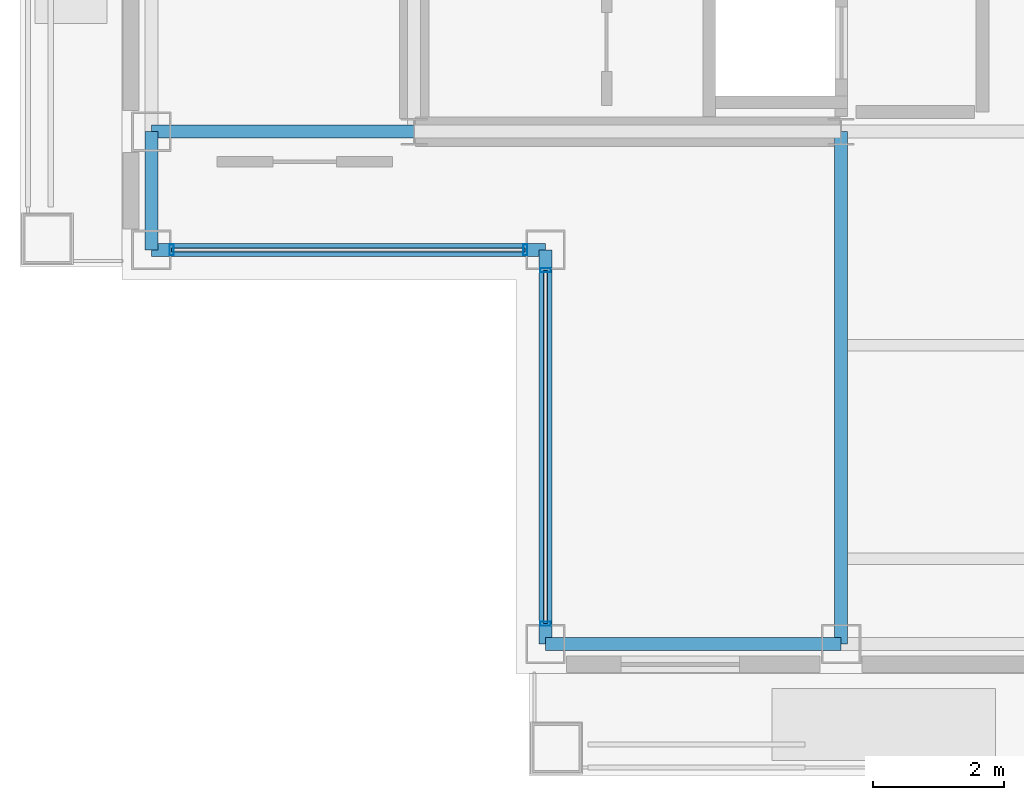
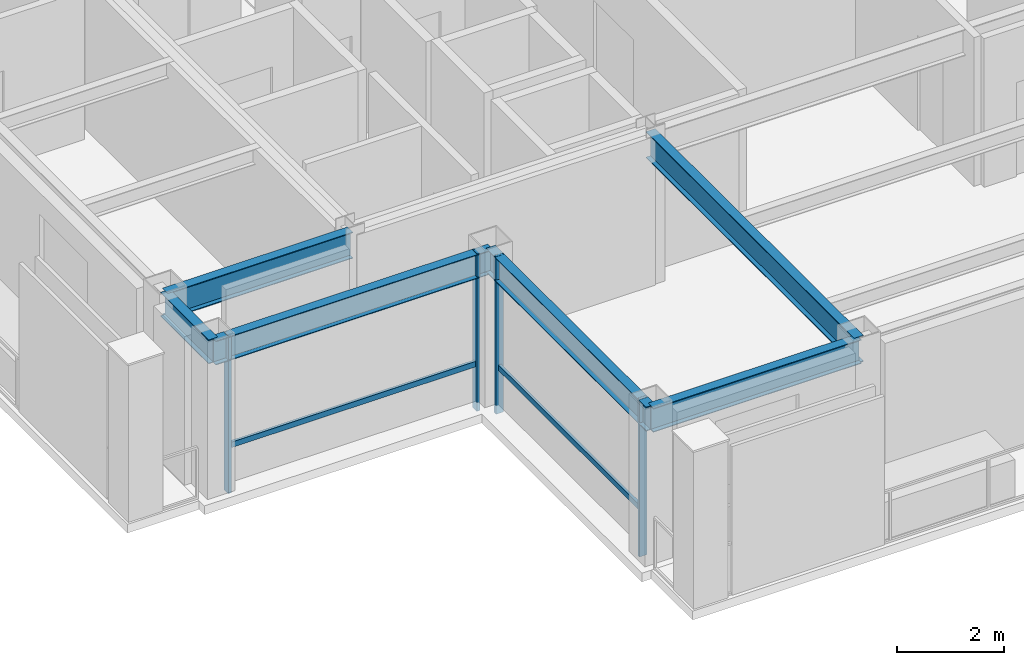
# One storey, part 3 of 24: 6 beams, 6 members, 2 elements without a shape of their own.
"""IFC4 building model written with IfcOpenShell, lengths in metres."""

from ifc_helpers import new_model, si_unit, direction, frame, origin, origin_2d, place, context, subcontext, project, spatial, hollow_rectangle, i_section, extrude, material, layer, layer_set, material_profile, profile_set, type_object, element, aggregate, save


model = new_model("IFC4")

# Units and contexts
model_context = context("Model", 3, precision=1e-05, world=origin(), true_north=direction((0.0, 1.0)))
body_context = subcontext(model_context, "Body", "Model", "MODEL_VIEW")
ifc_project = project(units=[si_unit("LENGTHUNIT", "METRE"), si_unit("AREAUNIT", "SQUARE_METRE"), si_unit("VOLUMEUNIT", "CUBIC_METRE"), si_unit("PLANEANGLEUNIT", "RADIAN"), si_unit("MASSUNIT", "GRAM", prefix="KILO")], contexts=[model_context])

# Site, building, storey
site_placement = place(None, origin())
site = spatial("IfcSite", under=ifc_project, at=site_placement, CompositionType="ELEMENT")
building_placement = place(site_placement, origin())
building = spatial("IfcBuilding", under=site, at=building_placement, Name="Brelmoor Portico Tower", CompositionType="ELEMENT")
storey_placement = place(building_placement, frame((0.0, 0.0, 254.39990234375)))
storey = spatial("IfcBuildingStorey", under=building, at=storey_placement, Name="L67", CompositionType="ELEMENT", Elevation=254.39990234375)

# Beams
ifc_material_1 = material(Name="Steel Q355B", Category="steel")
ifc_material_profile_1 = material_profile(ifc_material_1, i_section(OverallWidth=0.199951171875, OverallDepth=0.60009765625, WebThickness=0.010986328125, FlangeThickness=0.01708984375, at=origin_2d()), Name="HN 600x200x11x17")
ifc_profile_set_1 = profile_set([ifc_material_profile_1], Name="Steel Q355B")
beam_type_1 = type_object("IfcBeamType", Name="BM-PG-600", PredefinedType="BEAM", material=ifc_profile_set_1)
beam_1_placement = place(storey_placement, frame((-8.050048828125, -17.550048828125, 3.10009765625), z_axis=(0.0, 1.0, 0.0), x_axis=(-1.0, 0.0, 0.0)))
element("IfcBeam", 1, at=beam_1_placement, inside=storey, type_object=beam_type_1, Name="L67 Primary Floor Girder PG-03", PredefinedType="BEAM", context=body_context, shape_type="SweptSolid", body=[
    extrude(i_section(OverallWidth=0.199951171875, OverallDepth=0.60009765625, WebThickness=0.010986328125, FlangeThickness=0.01708984375, at=origin_2d()), origin(), (0.0, 0.0, 1.0), 7.800048828125),
])
beam_2_placement = place(storey_placement, frame((-18.550048828125, -9.75, 3.10009765625), z_axis=(1.0, 0.0, 0.0), x_axis=(0.0, 1.0, 0.0)))
element("IfcBeam", 2, at=beam_2_placement, inside=storey, type_object=beam_type_1, Name="L67 Primary Floor Girder PG-11", PredefinedType="BEAM", context=body_context, shape_type="SweptSolid", body=[
    extrude(i_section(OverallWidth=0.199951171875, OverallDepth=0.60009765625, WebThickness=0.010986328125, FlangeThickness=0.01708984375, at=origin_2d()), origin(), (0.0, 0.0, 1.0), 4.0),
])
ifc_material_profile_2 = material_profile(ifc_material_1, i_section(OverallWidth=0.199951171875, OverallDepth=0.550048828125, WebThickness=0.010009765625, FlangeThickness=0.01611328125, at=origin_2d()), Name="HN 550x200x10x16")
ifc_profile_set_2 = profile_set([ifc_material_profile_2], Name="Steel Q355B")
beam_type_2 = type_object("IfcBeamType", Name="BM-SP-550", PredefinedType="SPANDREL", material=ifc_profile_set_2)
beam_3_placement = place(storey_placement, frame((-12.550048828125, -17.550048828125, 3.125), z_axis=(1.0, 0.0, 0.0), x_axis=(0.0, 1.0, 0.0)))
element("IfcBeam", 3, at=beam_3_placement, inside=storey, type_object=beam_type_2, Name="L67 Perimeter Spandrel Beam SP-01", PredefinedType="SPANDREL", context=body_context, shape_type="SweptSolid", body=[
    extrude(i_section(OverallWidth=0.199951171875, OverallDepth=0.550048828125, WebThickness=0.010009765625, FlangeThickness=0.01611328125, at=origin_2d()), origin(), (0.0, 0.0, 1.0), 4.5),
])
beam_4_placement = place(storey_placement, frame((-18.550048828125, -11.550048828125, 3.125), z_axis=(1.0, 0.0, 0.0), x_axis=(0.0, 1.0, 0.0)))
element("IfcBeam", 4, at=beam_4_placement, inside=storey, type_object=beam_type_2, Name="L67 Perimeter Spandrel Beam SP-04", PredefinedType="SPANDREL", context=body_context, shape_type="SweptSolid", body=[
    extrude(i_section(OverallWidth=0.199951171875, OverallDepth=0.550048828125, WebThickness=0.010009765625, FlangeThickness=0.01611328125, at=origin_2d()), origin(), (0.0, 0.0, 1.0), 6.0),
])
beam_5_placement = place(storey_placement, frame((-18.550048828125, -11.550048828125, 3.125), z_axis=(0.0, 1.0, 0.0), x_axis=(-1.0, 0.0, 0.0)))
element("IfcBeam", 5, at=beam_5_placement, inside=storey, type_object=beam_type_2, Name="L67 Perimeter Spandrel Beam SP-11", PredefinedType="SPANDREL", context=body_context, shape_type="SweptSolid", body=[
    extrude(i_section(OverallWidth=0.199951171875, OverallDepth=0.550048828125, WebThickness=0.010009765625, FlangeThickness=0.01611328125, at=origin_2d()), origin(), (0.0, 0.0, 1.0), 1.800048828125),
])
beam_6_placement = place(storey_placement, frame((-12.550048828125, -17.550048828125, 3.125), z_axis=(0.0, 1.0, 0.0), x_axis=(-1.0, 0.0, 0.0)))
element("IfcBeam", 6, at=beam_6_placement, inside=storey, type_object=beam_type_2, Name="L67 Perimeter Spandrel Beam SP-14", PredefinedType="SPANDREL", context=body_context, shape_type="SweptSolid", body=[
    extrude(i_section(OverallWidth=0.199951171875, OverallDepth=0.550048828125, WebThickness=0.010009765625, FlangeThickness=0.01611328125, at=origin_2d()), origin(), (0.0, 0.0, 1.0), 6.0),
])

# Curtain wall, members
ifc_material_2 = material(Name="Anodised Aluminium Alloy 6063-T6", Category="aluminium")
ifc_layer = layer(ifc_material_2, 0.179931640625)
ifc_layer_set = layer_set([ifc_layer], Name="Anodised Aluminium Alloy 6063-T6")
curtain_wall_type = type_object("IfcCurtainWallType", Name="CW-NOTCH-CHAMFER", PredefinedType="NOTDEFINED", material=ifc_layer_set)
curtain_wall_1_placement = place(storey_placement, origin())
curtain_wall_1 = element("IfcCurtainWall", 7, at=curtain_wall_1_placement, inside=storey, type_object=curtain_wall_type, Name="L67 Curtain Wall CWN-L67-SWH", PredefinedType="NOTDEFINED")
ifc_material_profile_3 = material_profile(ifc_material_2, hollow_rectangle(XDim=0.06494140625, YDim=0.1650390625, WallThickness=0.00390625, at=origin_2d()), Name="ALU MULLION 65x165")
ifc_profile_set_3 = profile_set([ifc_material_profile_3], Name="Anodised Aluminium Alloy 6063-T6")
member_type_1 = type_object("IfcMemberType", Name="MB-CW-MULL-165", PredefinedType="MULLION", material=ifc_profile_set_3)
member_1_placement = place(storey_placement, frame((-18.239990234375, -11.550048828125, -0.199951171875), z_axis=(0.0, 0.0, 1.0), x_axis=(1.0, 0.0, 0.0)))
member_1 = element("IfcMember", 8, at=member_1_placement, type_object=member_type_1, Name="CWN-L67-SWH Mullion 00", PredefinedType="MULLION", context=body_context, shape_type="SweptSolid", body=[
    extrude(hollow_rectangle(XDim=0.06494140625, YDim=0.1650390625, WallThickness=0.00390625, at=origin_2d()), origin(), (0.0, 0.0, 1.0), 3.60009765625),
])
member_2_placement = place(storey_placement, frame((-12.860107421875, -11.550048828125, -0.199951171875), z_axis=(0.0, 0.0, 1.0), x_axis=(1.0, 0.0, 0.0)))
member_2 = element("IfcMember", 9, at=member_2_placement, type_object=member_type_1, Name="CWN-L67-SWH Mullion 01", PredefinedType="MULLION", context=body_context, shape_type="SweptSolid", body=[
    extrude(hollow_rectangle(XDim=0.06494140625, YDim=0.1650390625, WallThickness=0.00390625, at=origin_2d()), origin(), (0.0, 0.0, 1.0), 3.60009765625),
])

curtain_wall_2_placement = place(storey_placement, origin())
curtain_wall_2 = element("IfcCurtainWall", 10, at=curtain_wall_2_placement, inside=storey, type_object=curtain_wall_type, Name="L67 Curtain Wall CWN-L67-SWV", PredefinedType="NOTDEFINED")
member_3_placement = place(storey_placement, frame((-12.550048828125, -17.239990234375, -0.199951171875), z_axis=(0.0, 0.0, 1.0), x_axis=(0.0, 1.0, 0.0)))
member_3 = element("IfcMember", 11, at=member_3_placement, type_object=member_type_1, Name="CWN-L67-SWV Mullion 00", PredefinedType="MULLION", context=body_context, shape_type="SweptSolid", body=[
    extrude(hollow_rectangle(XDim=0.06494140625, YDim=0.1650390625, WallThickness=0.00390625, at=origin_2d()), origin(), (0.0, 0.0, 1.0), 3.60009765625),
])
member_4_placement = place(storey_placement, frame((-12.550048828125, -11.860107421875, -0.199951171875), z_axis=(0.0, 0.0, 1.0), x_axis=(0.0, 1.0, 0.0)))
member_4 = element("IfcMember", 12, at=member_4_placement, type_object=member_type_1, Name="CWN-L67-SWV Mullion 01", PredefinedType="MULLION", context=body_context, shape_type="SweptSolid", body=[
    extrude(hollow_rectangle(XDim=0.06494140625, YDim=0.1650390625, WallThickness=0.00390625, at=origin_2d()), origin(), (0.0, 0.0, 1.0), 3.60009765625),
])

# Member
ifc_material_profile_4 = material_profile(ifc_material_2, hollow_rectangle(XDim=0.06005859375, YDim=0.125, WallThickness=0.00341796875, at=origin_2d()), Name="ALU TRANSOM 60x125")
ifc_profile_set_4 = profile_set([ifc_material_profile_4], Name="Anodised Aluminium Alloy 6063-T6")
member_type_2 = type_object("IfcMemberType", Name="MB-CW-TRAN-125", PredefinedType="USERDEFINED", material=ifc_profile_set_4)
member_5_placement = place(storey_placement, frame((-18.239990234375, -11.550048828125, 0.85009765625), z_axis=(1.0, 0.0, 0.0), x_axis=(0.0, 1.0, 0.0)))
member_5 = element("IfcMember", 13, at=member_5_placement, type_object=member_type_2, Name="CWN-L67-SWH Transom 1-00", ObjectType="TRANSOM", PredefinedType="USERDEFINED", context=body_context, shape_type="SweptSolid", body=[
    extrude(hollow_rectangle(XDim=0.06005859375, YDim=0.125, WallThickness=0.00341796875, at=origin_2d()), origin(), (0.0, 0.0, 1.0), 5.3798828125),
])

aggregate(curtain_wall_1, [member_1, member_2, member_5])

member_6_placement = place(storey_placement, frame((-12.550048828125, -17.239990234375, 0.85009765625), z_axis=(0.0, 1.0, 0.0), x_axis=(-1.0, 0.0, 0.0)))
member_6 = element("IfcMember", 14, at=member_6_placement, type_object=member_type_2, Name="CWN-L67-SWV Transom 1-00", ObjectType="TRANSOM", PredefinedType="USERDEFINED", context=body_context, shape_type="SweptSolid", body=[
    extrude(hollow_rectangle(XDim=0.06005859375, YDim=0.125, WallThickness=0.00341796875, at=origin_2d()), origin(), (0.0, 0.0, 1.0), 5.3798828125),
])

aggregate(curtain_wall_2, [member_3, member_4, member_6])

save(model, "model.ifc")
